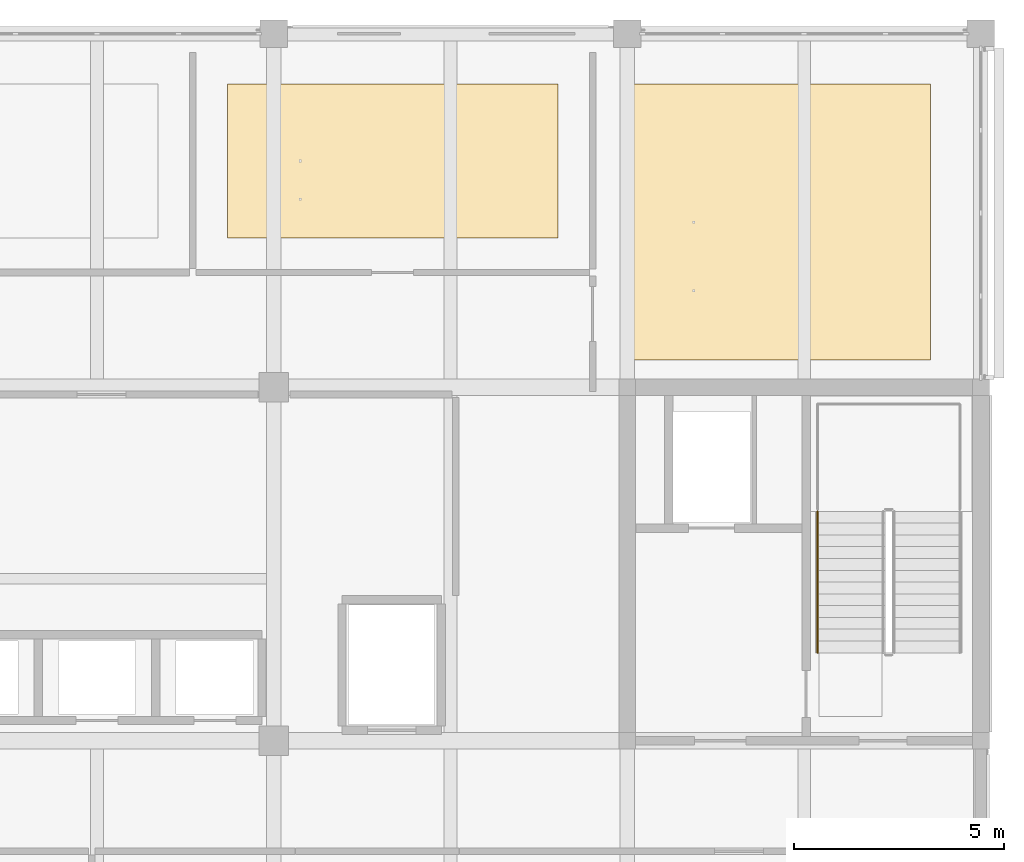
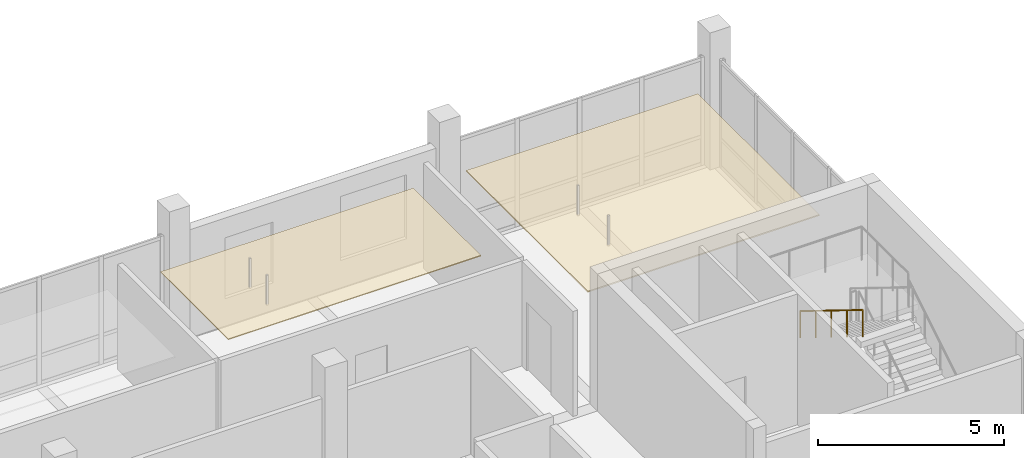
# One storey, part 24 of 28: 2 coverings, 1 railing.
"""IFC4 building model written with IfcOpenShell, lengths in metres."""

from ifc_helpers import new_model, si_unit, direction, frame, origin, origin_2d, place, context, subcontext, project, spatial, polyline, circle, outline, extrude, material, layer, layer_set, type_object, element, save


model = new_model("IFC4")

# Units and contexts
model_context = context("Model", 3, precision=1e-05, world=origin(), true_north=direction((0.0, 1.0)))
body_context = subcontext(model_context, "Body", "Model", "MODEL_VIEW")
ifc_project = project(units=[si_unit("LENGTHUNIT", "METRE"), si_unit("AREAUNIT", "SQUARE_METRE"), si_unit("VOLUMEUNIT", "CUBIC_METRE"), si_unit("PLANEANGLEUNIT", "RADIAN"), si_unit("MASSUNIT", "GRAM", prefix="KILO")], contexts=[model_context])

# Site, building, storey
site_placement = place(None, origin())
site = spatial("IfcSite", under=ifc_project, at=site_placement, CompositionType="ELEMENT")
building_placement = place(site_placement, origin())
building = spatial("IfcBuilding", under=site, at=building_placement, Name="Telukmera Botanical Conservatory", CompositionType="ELEMENT")
storey_placement = place(building_placement, frame((0.0, 0.0, 51.0)))
storey = spatial("IfcBuildingStorey", under=building, at=storey_placement, Name="L11", CompositionType="ELEMENT", Elevation=51.0)

# Coverings
ifc_material_1 = material(Name="Mineral fibre acoustic ceiling")
ifc_layer_1 = layer(ifc_material_1, 0.030029296875)
ifc_layer_set_1 = layer_set([ifc_layer_1], Name="Mineral fibre acoustic ceiling")
covering_type_1 = type_object("IfcCoveringType", Name="COV-CEIL-30", PredefinedType="CEILING", material=ifc_layer_set_1)
covering_1_placement = place(storey_placement, frame((0.0, 0.0, 3.320068359375)))
element("IfcCovering", 1, at=covering_1_placement, inside=storey, type_object=covering_type_1, Name="L11 Metabolomics Data Write-Up Studio Suspended Acoustic Ceiling", PredefinedType="CEILING", context=body_context, shape_type="SweptSolid", body=[
    extrude(outline(polyline([(82.89990234375, 37.949951171875), (90.75, 37.949951171875), (90.75, 41.60009765625), (82.89990234375, 41.60009765625), (82.89990234375, 37.949951171875)])), origin(), (0.0, 0.0, 1.0), 0.030029296875),
])
ifc_material_2 = material(Name="Perforated gypsum acoustic ceiling")
ifc_layer_2 = layer(ifc_material_2, 0.0400390625)
ifc_layer_set_2 = layer_set([ifc_layer_2], Name="Perforated gypsum acoustic ceiling")
covering_type_2 = type_object("IfcCoveringType", Name="COV-CEIL-40", PredefinedType="CEILING", material=ifc_layer_set_2)
covering_2_placement = place(storey_placement, frame((0.0, 0.0, 3.31005859375)))
element("IfcCovering", 2, at=covering_2_placement, inside=storey, type_object=covering_type_2, Name="L11 Botanical Colloquium Studio Suspended Acoustic Ceiling", PredefinedType="CEILING", context=body_context, shape_type="SweptSolid", body=[
    extrude(outline(polyline([(92.39990234375, 35.050048828125), (99.60009765625, 35.050048828125), (99.60009765625, 41.60009765625), (92.39990234375, 41.60009765625), (92.39990234375, 35.050048828125)])), origin(), (0.0, 0.0, 1.0), 0.0400390625),
])

# Railing
ifc_material_3 = material(Name="Stainless steel 316", Category="steel")
railing_type = type_object("IfcRailingType", Name="RL-HAND-900", PredefinedType="HANDRAIL", material=ifc_material_3)
railing_placement = place(storey_placement, frame((96.919921875, 31.449951171875, 2.423095703125)))
element("IfcRailing", 3, at=railing_placement, inside=storey, type_object=railing_type, Name="L11 ST2 stair handrail 2", PredefinedType="HANDRAIL", context=body_context, shape_type="SweptSolid", body=[
    extrude(circle(Radius=0.02392578125, at=origin_2d()), frame((0.0, 0.0, 0.8759765625), z_axis=(0.0, -0.850606129759, 0.525803396734), x_axis=(1.0, 0.0, 0.0)), (0.0, 0.0, 1.0), 3.949951171875),
    extrude(circle(Radius=0.02099609375, at=origin_2d()), origin(), (0.0, 0.0, 1.0), 0.851806640625),
    extrude(circle(Radius=0.02099609375, at=origin_2d()), frame((0.0, -0.83984375, 0.519287109375)), (0.0, 0.0, 1.0), 0.851806640625),
    extrude(circle(Radius=0.02099609375, at=origin_2d()), frame((0.0, -1.679931640625, 1.03857421875)), (0.0, 0.0, 1.0), 0.851806640625),
    extrude(circle(Radius=0.02099609375, at=origin_2d()), frame((0.0, -2.52001953125, 1.5576171875)), (0.0, 0.0, 1.0), 0.851806640625),
    extrude(circle(Radius=0.02099609375, at=origin_2d()), frame((0.0, -3.35986328125, 2.076904296875)), (0.0, 0.0, 1.0), 0.851806640625),
])

save(model, "model.ifc")
